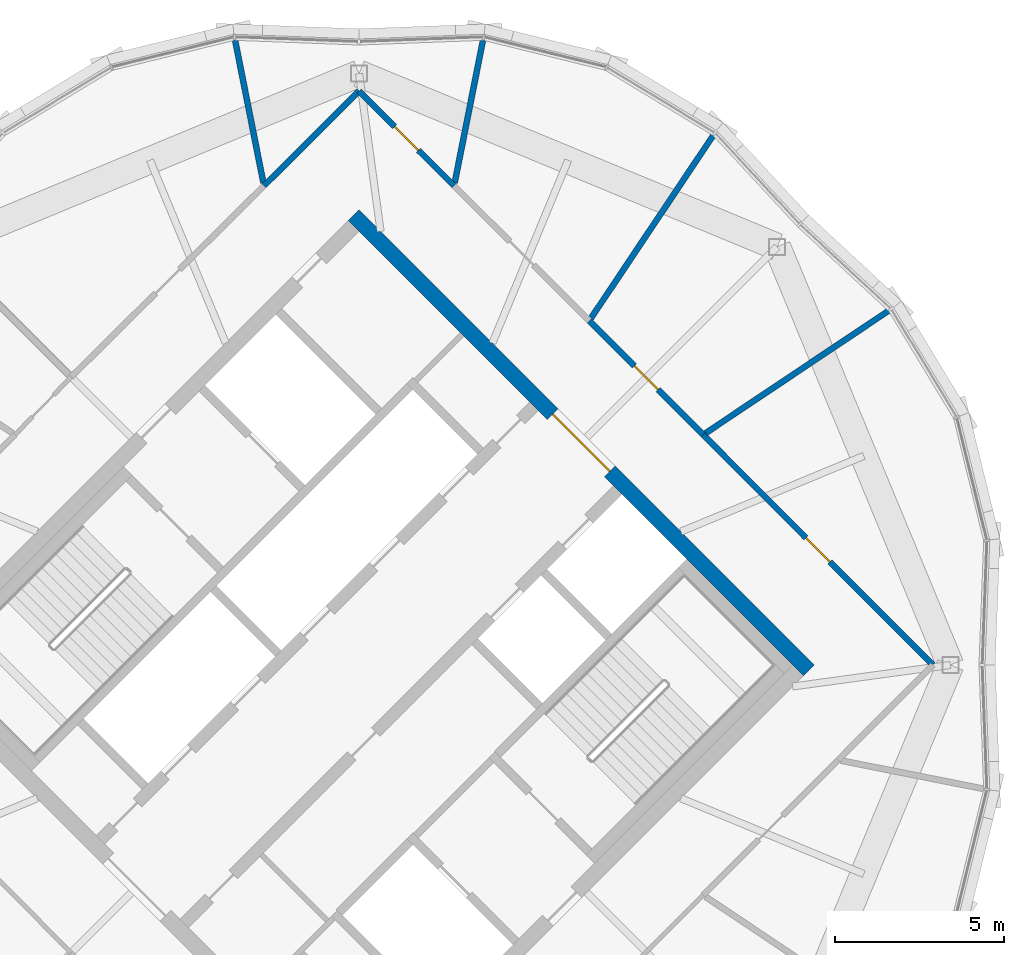
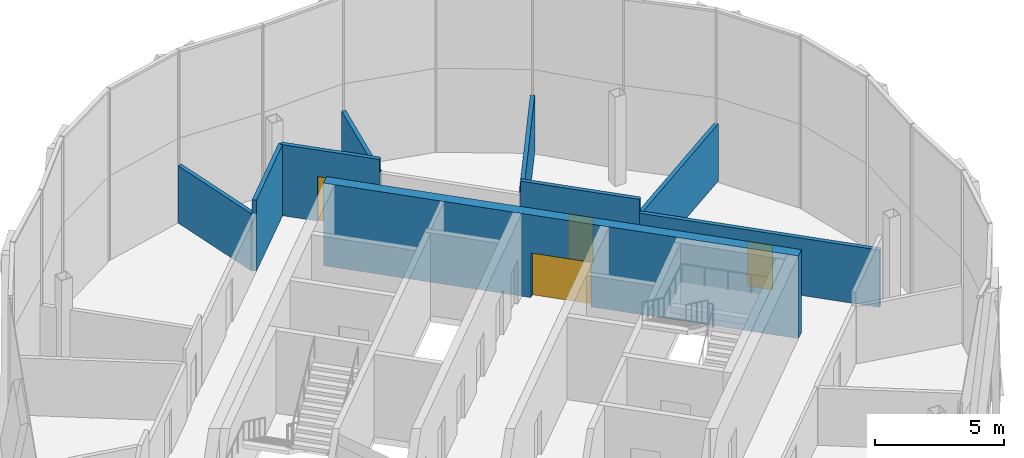
# One storey, part 19 of 22: 9 walls, 4 doors, 4 openings.
"""IFC4 building model written with IfcOpenShell, lengths in metres."""

from ifc_helpers import new_model, si_unit, direction, frame, frame_2d, origin, place, context, subcontext, project, spatial, rectangle, extrude, material, layer, layer_set, type_object, element, fill, save


model = new_model("IFC4")

# Units and contexts
model_context = context("Model", 3, precision=1e-05, world=origin(), true_north=direction((0.0, 1.0)))
body_context = subcontext(model_context, "Body", "Model", "MODEL_VIEW")
ifc_project = project(units=[si_unit("LENGTHUNIT", "METRE"), si_unit("AREAUNIT", "SQUARE_METRE"), si_unit("VOLUMEUNIT", "CUBIC_METRE"), si_unit("PLANEANGLEUNIT", "RADIAN"), si_unit("MASSUNIT", "GRAM", prefix="KILO")], contexts=[model_context])

# Site, building, storey
site_placement = place(None, origin())
site = spatial("IfcSite", under=ifc_project, at=site_placement, CompositionType="ELEMENT")
building_placement = place(site_placement, origin())
building = spatial("IfcBuilding", under=site, at=building_placement, Name="Ogive Gate Towers", CompositionType="ELEMENT")
storey_placement = place(building_placement, frame((0.0, 0.0, 285.60009765625)))
storey = spatial("IfcBuildingStorey", under=building, at=storey_placement, Name="L67", CompositionType="ELEMENT", Elevation=285.60009765625)

# Walls
ifc_material_1 = material(Name="Gypsum board acoustic partition")
ifc_layer_1 = layer(ifc_material_1, 0.175048828125)
ifc_layer_set_1 = layer_set([ifc_layer_1], Name="Acoustic partition 175")
wall_type_1 = type_object("IfcWallType", Name="Acoustic partition 175", PredefinedType="PARTITIONING", material=ifc_layer_set_1)
for number, where, z_axis, x_axis, name in (
    (1, (51.697509765625, 10.5, 0.0), (0.0, 0.0, 1.0), (-0.831198479299, -0.555975798045, 0.0), "Partition T2-L67-001"),
    (2, (46.5, 15.697509765625, 0.0), (0.0, 0.0, 1.0), (-0.555975798045, -0.831198479299, 0.0), "Partition T2-L67-002"),
):
    element("IfcWall", number, at=place(storey_placement, frame(where, z_axis=z_axis, x_axis=x_axis)), inside=storey, type_object=wall_type_1, Name=name, PredefinedType="PARTITIONING", context=body_context, shape_type="SweptSolid", body=[
        extrude(rectangle(XDim=6.57763671875, YDim=0.175048828125, at=frame_2d((3.288818359375, 0.0))), origin(), (0.0, 0.0, 1.0), 2.699951171875),
    ])
for number, where, z_axis, x_axis, name in (
    (3, (39.658203125, 18.440185546875, 0.0), (0.0, 0.0, 1.0), (-0.194562365851, -0.980890149708, 0.0), "Partition T2-L67-003"),
    (4, (32.341796875, 18.440185546875, 0.0), (0.0, 0.0, 1.0), (0.194562365851, -0.980890149708, 0.0), "Partition T2-L67-004"),
):
    element("IfcWall", number, at=place(storey_placement, frame(where, z_axis=z_axis, x_axis=x_axis)), inside=storey, type_object=wall_type_1, Name=name, PredefinedType="PARTITIONING", context=body_context, shape_type="SweptSolid", body=[
        extrude(rectangle(XDim=4.29150390625, YDim=0.175048828125, at=frame_2d((2.145751953125, 0.0))), origin(), (0.0, 0.0, 1.0), 2.699951171875),
    ])

# Wall, opening, door
wall_1_placement = place(storey_placement, frame((52.9423828125, 0.0, 0.0), z_axis=(0.0, 0.0, 1.0), x_axis=(-0.706598071469, 0.707615125189, 0.0)))
wall_1 = element("IfcWall", 5, at=wall_1_placement, inside=storey, type_object=wall_type_1, Name="Partition T2-L67-017", PredefinedType="PARTITIONING", context=body_context, shape_type="SweptSolid", body=[
    extrude(rectangle(XDim=9.601806640625, YDim=0.175048828125, at=frame_2d((4.80078125, 0.0))), origin(), (0.0, 0.0, 1.0), 2.699951171875),
])
opening_1_placement = place(wall_1_placement, frame((4.301025390625, 0.0, 0.0)))
opening_1 = element("IfcOpeningElement", 6, at=opening_1_placement, cuts=wall_1, Name="Opening T2-L67-D03", PredefinedType="OPENING", context=body_context, shape_type="SweptSolid", body=[
    extrude(rectangle(XDim=1.0, YDim=2.10009765625, at=frame_2d((0.5, 1.050048828125))), frame((0.0, 0.09765625, 0.0), z_axis=(0.0, -1.0, 0.0), x_axis=(1.0, 0.0, 0.0)), (0.0, 0.0, 1.0), 0.195068359375),
])
ifc_material_2 = material(Name="Timber door", Category="wood")
door_type_1 = type_object("IfcDoorType", Name="Door 1000", OperationType="NOTDEFINED", PredefinedType="DOOR", material=ifc_material_2)
door_1_placement = place(opening_1_placement, origin())
door_1 = element("IfcDoor", 7, at=door_1_placement, inside=storey, type_object=door_type_1, Name="Door T2-L67-D03", OperationType="SINGLE_SWING_LEFT", OverallHeight=2.10009765625, OverallWidth=1.0, PredefinedType="DOOR", context=body_context, shape_type="SweptSolid", body=[
    extrude(rectangle(XDim=1.0, YDim=2.10009765625, at=frame_2d((0.5, 1.050048828125))), frame((0.0, 0.02490234375, 0.0), z_axis=(0.0, -1.0, 0.0), x_axis=(1.0, 0.0, 0.0)), (0.0, 0.0, 1.0), 0.050048828125),
])
fill(opening_1, door_1)

wall_2_placement = place(storey_placement, frame((46.15771484375, 6.79443359375, 0.0), z_axis=(0.0, 0.0, 1.0), x_axis=(-0.707106781187, 0.707106781187, 0.0)))
wall_2 = element("IfcWall", 8, at=wall_2_placement, inside=storey, type_object=wall_type_1, Name="Partition T2-L67-019", PredefinedType="PARTITIONING", context=body_context, shape_type="SweptSolid", body=[
    extrude(rectangle(XDim=4.75634765625, YDim=0.175048828125, at=frame_2d((2.378173828125, 0.0))), origin(), (0.0, 0.0, 1.0), 3.349853515625),
])
opening_2_placement = place(wall_2_placement, frame((1.8779296875, 0.0, 0.0)))
opening_2 = element("IfcOpeningElement", 9, at=opening_2_placement, cuts=wall_2, Name="Opening T2-L67-D04", PredefinedType="OPENING", context=body_context, shape_type="SweptSolid", body=[
    extrude(rectangle(XDim=1.0, YDim=2.10009765625, at=frame_2d((0.5, 1.050048828125))), frame((0.0, 0.09765625, 0.0), z_axis=(0.0, -1.0, 0.0), x_axis=(1.0, 0.0, 0.0)), (0.0, 0.0, 1.0), 0.195068359375),
])
door_2_placement = place(opening_2_placement, origin())
door_2 = element("IfcDoor", 10, at=door_2_placement, inside=storey, type_object=door_type_1, Name="Door T2-L67-D04", OperationType="SINGLE_SWING_RIGHT", OverallHeight=2.10009765625, OverallWidth=1.0, PredefinedType="DOOR", context=body_context, shape_type="SweptSolid", body=[
    extrude(rectangle(XDim=1.0, YDim=2.10009765625, at=frame_2d((0.5, 1.050048828125))), frame((0.0, 0.02490234375, 0.0), z_axis=(0.0, -1.0, 0.0), x_axis=(1.0, 0.0, 0.0)), (0.0, 0.0, 1.0), 0.050048828125),
])
fill(opening_2, door_2)

wall_3_placement = place(storey_placement, frame((38.80615234375, 14.144775390625, 0.0), z_axis=(0.0, 0.0, 1.0), x_axis=(-0.708184193267, 0.706027724956, 0.0)))
wall_3 = element("IfcWall", 11, at=wall_3_placement, inside=storey, type_object=wall_type_1, Name="Partition T2-L67-021", PredefinedType="PARTITIONING", context=body_context, shape_type="SweptSolid", body=[
    extrude(rectangle(XDim=3.96240234375, YDim=0.175048828125, at=frame_2d((1.981201171875, 0.0))), origin(), (0.0, 0.0, 1.0), 3.349853515625),
])
opening_3_placement = place(wall_3_placement, frame((1.48095703125, 0.0, 0.0)))
opening_3 = element("IfcOpeningElement", 12, at=opening_3_placement, cuts=wall_3, Name="Opening T2-L67-D06", PredefinedType="OPENING", context=body_context, shape_type="SweptSolid", body=[
    extrude(rectangle(XDim=1.0, YDim=2.10009765625, at=frame_2d((0.5, 1.050048828125))), frame((0.0, 0.09765625, 0.0), z_axis=(0.0, -1.0, 0.0), x_axis=(1.0, 0.0, 0.0)), (0.0, 0.0, 1.0), 0.195068359375),
])
door_3_placement = place(opening_3_placement, origin())
door_3 = element("IfcDoor", 13, at=door_3_placement, inside=storey, type_object=door_type_1, Name="Door T2-L67-D06", OperationType="SINGLE_SWING_RIGHT", OverallHeight=2.10009765625, OverallWidth=1.0, PredefinedType="DOOR", context=body_context, shape_type="SweptSolid", body=[
    extrude(rectangle(XDim=1.0, YDim=2.10009765625, at=frame_2d((0.5, 1.050048828125))), frame((0.0, 0.02490234375, 0.0), z_axis=(0.0, -1.0, 0.0), x_axis=(1.0, 0.0, 0.0)), (0.0, 0.0, 1.0), 0.050048828125),
])
fill(opening_3, door_3)

# Wall
wall_4_placement = place(storey_placement, frame((36.0, 16.9423828125, 0.0), z_axis=(0.0, 0.0, 1.0), x_axis=(-0.708184193267, -0.706027724956, 0.0)))
element("IfcWall", 14, at=wall_4_placement, inside=storey, type_object=wall_type_1, Name="Partition T2-L67-022", PredefinedType="PARTITIONING", context=body_context, shape_type="SweptSolid", body=[
    extrude(rectangle(XDim=3.96240234375, YDim=0.175048828125, at=frame_2d((1.981201171875, 0.0))), origin(), (0.0, 0.0, 1.0), 3.349853515625),
])

# Wall, opening, door
ifc_material_3 = material(Name="Concrete C60/75", Category="concrete")
ifc_layer_2 = layer(ifc_material_3, 0.449951171875)
ifc_layer_set_2 = layer_set([ifc_layer_2], Name="Core wall 450 mm")
wall_type_2 = type_object("IfcWallType", Name="Core wall 450 mm", PredefinedType="SHEAR", material=ifc_layer_set_2)
wall_5_placement = place(storey_placement, frame((49.27587890625, -0.1591796875, 0.0), z_axis=(0.0, 0.0, 1.0), x_axis=(-0.707106781187, 0.707106781187, 0.0)))
wall_5 = element("IfcWall", 15, at=wall_5_placement, inside=storey, type_object=wall_type_2, Name="T2 L67 Core wall 450 mm", PredefinedType="SHEAR", context=body_context, shape_type="SweptSolid", body=[
    extrude(rectangle(XDim=19.0, YDim=0.449951171875, at=frame_2d((9.5, 0.0))), origin(), (0.0, 0.0, 1.0), 3.89990234375),
])
opening_4_placement = place(wall_5_placement, frame((8.300048828125, 0.0, 0.0)))
opening_4 = element("IfcOpeningElement", 16, at=opening_4_placement, cuts=wall_5, Name="Opening KD-T2-L67-02", PredefinedType="OPENING", context=body_context, shape_type="SweptSolid", body=[
    extrude(rectangle(XDim=2.39990234375, YDim=2.10009765625, at=frame_2d((1.199951171875, 1.050048828125))), frame((0.0, 0.23486328125, 0.0), z_axis=(0.0, -1.0, 0.0), x_axis=(1.0, 0.0, 0.0)), (0.0, 0.0, 1.0), 0.469970703125),
])
ifc_material_4 = material(Name="Steel fire door", Category="steel")
door_type_2 = type_object("IfcDoorType", Name="Core double door FD60S 2400 x 2100", OperationType="DOUBLE_DOOR_SINGLE_SWING", PredefinedType="DOOR", material=ifc_material_4)
door_4_placement = place(opening_4_placement, origin())
door_4 = element("IfcDoor", 17, at=door_4_placement, inside=storey, type_object=door_type_2, Name="T2 L67 Core door double", OperationType="DOUBLE_DOOR_SINGLE_SWING", OverallHeight=2.10009765625, OverallWidth=2.39990234375, PredefinedType="DOOR", context=body_context, shape_type="SweptSolid", body=[
    extrude(rectangle(XDim=2.39990234375, YDim=2.10009765625, at=frame_2d((1.199951171875, 1.050048828125))), frame((0.0, 0.02490234375, 0.0), z_axis=(0.0, -1.0, 0.0), x_axis=(1.0, 0.0, 0.0)), (0.0, 0.0, 1.0), 0.050048828125),
])
fill(opening_4, door_4)

save(model, "model.ifc")
